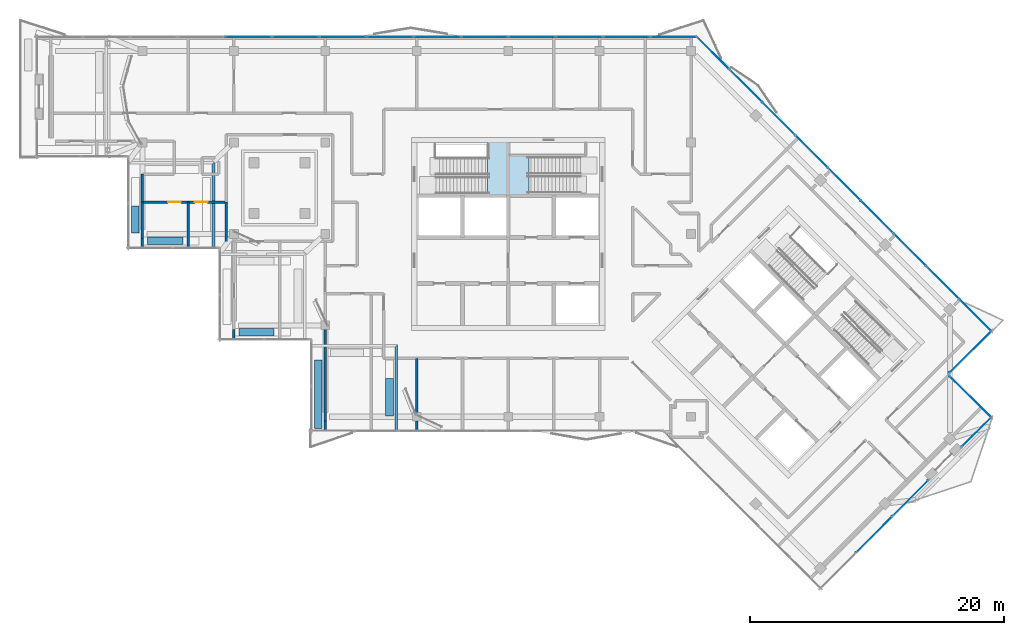
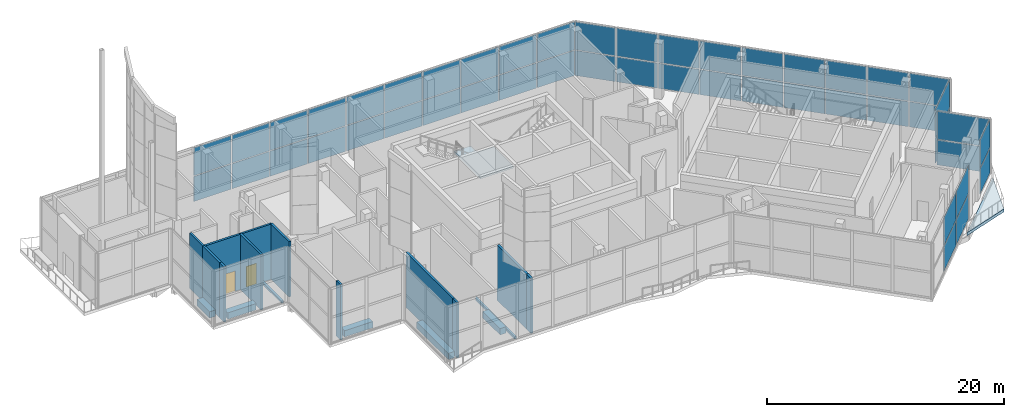
# One storey, part 11 of 19: 48 plates, 18 walls, 3 slabs, 2 doors, 2 openings, 8 elements without a shape of their own.
"""IFC4 building model written with IfcOpenShell, lengths in metres."""

from ifc_helpers import new_model, si_unit, direction, frame, frame_2d, origin, origin_2d, place, context, subcontext, project, spatial, polyline, rectangle, outline, extrude, material, layer, layer_set, type_object, element, fill, aggregate, save


model = new_model("IFC4")

# Units and contexts
model_context = context("Model", 3, precision=1e-05, world=origin(), true_north=direction((0.0, 1.0)))
body_context = subcontext(model_context, "Body", "Model", "MODEL_VIEW")
ifc_project = project(units=[si_unit("LENGTHUNIT", "METRE"), si_unit("AREAUNIT", "SQUARE_METRE"), si_unit("VOLUMEUNIT", "CUBIC_METRE"), si_unit("PLANEANGLEUNIT", "RADIAN"), si_unit("MASSUNIT", "GRAM", prefix="KILO")], contexts=[model_context])

# Site, building, storey
site_placement = place(None, origin())
site = spatial("IfcSite", under=ifc_project, at=site_placement, CompositionType="ELEMENT")
building_placement = place(site_placement, origin())
building = spatial("IfcBuilding", under=site, at=building_placement, Name="Windrow Commons", CompositionType="ELEMENT")
storey_placement = place(building_placement, frame((0.0, 0.0, 284.6)))
storey = spatial("IfcBuildingStorey", under=building, at=storey_placement, Name="L78", CompositionType="ELEMENT", Elevation=284.6)

# Curtain wall, plates
ifc_material_1 = material(Name="Clear laminated glass in Aluminium 6063-T6 anodised frame", Category="aluminium")
curtain_wall_type = type_object("IfcCurtainWallType", Name="Curtain wall CW3 damper floor", PredefinedType="USERDEFINED", material=ifc_material_1)
placement_1 = place(storey_placement, origin())
curtain_wall_1 = element("IfcCurtainWall", 1, at=placement_1, inside=storey, type_object=curtain_wall_type, Name="Curtain wall CW3 L78 1.1", ObjectType="STRUCTURAL SILICONE", PredefinedType="USERDEFINED")
ifc_material_2 = material(Name="Clear laminated glass", Category="glass")
ifc_layer_1 = layer(ifc_material_2, 0.036)
ifc_layer_set_1 = layer_set([ifc_layer_1], Name="CW3 panel glass 36")
plate_type = type_object("IfcPlateType", Name="CW3 panel glass 36", PredefinedType="CURTAIN_PANEL", material=ifc_layer_set_1)
plate_1_placement = place(storey_placement, frame((93.6129, 33.9456, 0.08), z_axis=(0.0, 0.0, 1.0), x_axis=(0.7071093854, 0.707104177, 0.0)))
plate_1 = element("IfcPlate", 2, at=plate_1_placement, type_object=plate_type, Name="CW3 panel 2.1", PredefinedType="CURTAIN_PANEL", context=body_context, shape_type="SweptSolid", body=[
    extrude(rectangle(XDim=3.9753, YDim=0.036, at=origin_2d()), origin(), (0.0, 0.0, 1.0), 2.58),
])
plate_2_placement = place(storey_placement, frame((93.6129, 33.9456, 2.74), z_axis=(0.0, 0.0, 1.0), x_axis=(0.7071093854, 0.707104177, 0.0)))
plate_2 = element("IfcPlate", 3, at=plate_2_placement, type_object=plate_type, Name="CW3 panel 2.2", PredefinedType="CURTAIN_PANEL", context=body_context, shape_type="SweptSolid", body=[
    extrude(rectangle(XDim=3.9753, YDim=0.036, at=origin_2d()), origin(), (0.0, 0.0, 1.0), 2.88),
])
plate_3_placement = place(storey_placement, frame((96.4664, 36.799, 0.08), z_axis=(0.0, 0.0, 1.0), x_axis=(0.7071093854, 0.707104177, 0.0)))
plate_3 = element("IfcPlate", 4, at=plate_3_placement, type_object=plate_type, Name="CW3 panel 3.1", PredefinedType="CURTAIN_PANEL", context=body_context, shape_type="SweptSolid", body=[
    extrude(rectangle(XDim=3.9353, YDim=0.036, at=origin_2d()), origin(), (0.0, 0.0, 1.0), 2.58),
])
plate_4_placement = place(storey_placement, frame((96.4664, 36.799, 2.74), z_axis=(0.0, 0.0, 1.0), x_axis=(0.7071093854, 0.707104177, 0.0)))
plate_4 = element("IfcPlate", 5, at=plate_4_placement, type_object=plate_type, Name="CW3 panel 3.2", PredefinedType="CURTAIN_PANEL", context=body_context, shape_type="SweptSolid", body=[
    extrude(rectangle(XDim=3.9353, YDim=0.036, at=origin_2d()), origin(), (0.0, 0.0, 1.0), 2.88),
])
aggregate(curtain_wall_1, [plate_1, plate_2, plate_3, plate_4])

curtain_wall_2 = element("IfcCurtainWall", 6, at=placement_1, inside=storey, type_object=curtain_wall_type, Name="Curtain wall CW3 L78 1.2", ObjectType="STRUCTURAL SILICONE", PredefinedType="USERDEFINED")
plate_5_placement = place(storey_placement, frame((101.674, 42.0066, 0.08), z_axis=(0.0, 0.0, 1.0), x_axis=(0.7071093851, 0.7071041772, 0.0)))
plate_5 = element("IfcPlate", 7, at=plate_5_placement, type_object=plate_type, Name="CW3 panel 1.1", PredefinedType="CURTAIN_PANEL", context=body_context, shape_type="SweptSolid", body=[
    extrude(rectangle(XDim=3.274, YDim=0.036, at=origin_2d()), origin(), (0.0, 0.0, 1.0), 2.58),
])
plate_6_placement = place(storey_placement, frame((101.674, 42.0066, 2.74), z_axis=(0.0, 0.0, 1.0), x_axis=(0.7071093851, 0.7071041772, 0.0)))
plate_6 = element("IfcPlate", 8, at=plate_6_placement, type_object=plate_type, Name="CW3 panel 1.2", PredefinedType="CURTAIN_PANEL", context=body_context, shape_type="SweptSolid", body=[
    extrude(rectangle(XDim=3.274, YDim=0.036, at=origin_2d()), origin(), (0.0, 0.0, 1.0), 2.88),
])
aggregate(curtain_wall_2, [plate_5, plate_6])

curtain_wall_3 = element("IfcCurtainWall", 9, at=placement_1, inside=storey, type_object=curtain_wall_type, Name="Curtain wall CW3 L78 2", ObjectType="STRUCTURAL SILICONE", PredefinedType="USERDEFINED")
plate_7_placement = place(storey_placement, frame((101.191, 44.7764, 0.08), z_axis=(0.0, 0.0, 1.0), x_axis=(-0.7070963646, 0.7071171977, 0.0)))
plate_7 = element("IfcPlate", 10, at=plate_7_placement, type_object=plate_type, Name="CW3 panel 1.1", PredefinedType="CURTAIN_PANEL", context=body_context, shape_type="SweptSolid", body=[
    extrude(rectangle(XDim=4.6401, YDim=0.036, at=origin_2d()), origin(), (0.0, 0.0, 1.0), 2.58),
])
plate_8_placement = place(storey_placement, frame((101.191, 44.7764, 2.74), z_axis=(0.0, 0.0, 1.0), x_axis=(-0.7070963646, 0.7071171977, 0.0)))
plate_8 = element("IfcPlate", 11, at=plate_8_placement, type_object=plate_type, Name="CW3 panel 1.2", PredefinedType="CURTAIN_PANEL", context=body_context, shape_type="SweptSolid", body=[
    extrude(rectangle(XDim=4.6401, YDim=0.036, at=origin_2d()), origin(), (0.0, 0.0, 1.0), 2.88),
])
aggregate(curtain_wall_3, [plate_7, plate_8])

curtain_wall_4 = element("IfcCurtainWall", 12, at=placement_1, inside=storey, type_object=curtain_wall_type, Name="Curtain wall CW3 L78 3", ObjectType="STRUCTURAL SILICONE", PredefinedType="USERDEFINED")
plate_9_placement = place(storey_placement, frame((101.191, 48.312, 0.08), z_axis=(0.0, 0.0, 1.0), x_axis=(0.7071067812, 0.7071067812, 0.0)))
plate_9 = element("IfcPlate", 13, at=plate_9_placement, type_object=plate_type, Name="CW3 panel 1.1", PredefinedType="CURTAIN_PANEL", context=body_context, shape_type="SweptSolid", body=[
    extrude(rectangle(XDim=4.64, YDim=0.036, at=origin_2d()), origin(), (0.0, 0.0, 1.0), 2.58),
])
plate_10_placement = place(storey_placement, frame((101.191, 48.312, 2.74), z_axis=(0.0, 0.0, 1.0), x_axis=(0.7071067812, 0.7071067812, 0.0)))
plate_10 = element("IfcPlate", 14, at=plate_10_placement, type_object=plate_type, Name="CW3 panel 1.2", PredefinedType="CURTAIN_PANEL", context=body_context, shape_type="SweptSolid", body=[
    extrude(rectangle(XDim=4.64, YDim=0.036, at=origin_2d()), origin(), (0.0, 0.0, 1.0), 2.88),
])
aggregate(curtain_wall_4, [plate_9, plate_10])

curtain_wall_5 = element("IfcCurtainWall", 15, at=placement_1, inside=storey, type_object=curtain_wall_type, Name="Curtain wall CW3 L78 4", ObjectType="STRUCTURAL SILICONE", PredefinedType="USERDEFINED")
plate_11_placement = place(storey_placement, frame((101.5816, 51.174, 0.08), z_axis=(0.0, 0.0, 1.0), x_axis=(-0.7071067812, 0.7071067812, 0.0)))
plate_11 = element("IfcPlate", 16, at=plate_11_placement, type_object=plate_type, Name="CW3 panel 1.1", PredefinedType="CURTAIN_PANEL", context=body_context, shape_type="SweptSolid", body=[
    extrude(rectangle(XDim=3.5352, YDim=0.036, at=origin_2d()), origin(), (0.0, 0.0, 1.0), 2.58),
])
plate_12_placement = place(storey_placement, frame((101.5816, 51.174, 2.74), z_axis=(0.0, 0.0, 1.0), x_axis=(-0.7071067812, 0.7071067812, 0.0)))
plate_12 = element("IfcPlate", 17, at=plate_12_placement, type_object=plate_type, Name="CW3 panel 1.2", PredefinedType="CURTAIN_PANEL", context=body_context, shape_type="SweptSolid", body=[
    extrude(rectangle(XDim=3.5352, YDim=0.036, at=origin_2d()), origin(), (0.0, 0.0, 1.0), 2.88),
])
plate_13_placement = place(storey_placement, frame((99.0111, 53.7445, 0.08), z_axis=(0.0, 0.0, 1.0), x_axis=(-0.7071067812, 0.7071067812, 0.0)))
plate_13 = element("IfcPlate", 18, at=plate_13_placement, type_object=plate_type, Name="CW3 panel 2.1", PredefinedType="CURTAIN_PANEL", context=body_context, shape_type="SweptSolid", body=[
    extrude(rectangle(XDim=3.5752, YDim=0.036, at=origin_2d()), origin(), (0.0, 0.0, 1.0), 2.58),
])
plate_14_placement = place(storey_placement, frame((99.0111, 53.7445, 2.74), z_axis=(0.0, 0.0, 1.0), x_axis=(-0.7071067812, 0.7071067812, 0.0)))
plate_14 = element("IfcPlate", 19, at=plate_14_placement, type_object=plate_type, Name="CW3 panel 2.2", PredefinedType="CURTAIN_PANEL", context=body_context, shape_type="SweptSolid", body=[
    extrude(rectangle(XDim=3.5752, YDim=0.036, at=origin_2d()), origin(), (0.0, 0.0, 1.0), 2.88),
])
plate_15_placement = place(storey_placement, frame((96.4265, 56.3292, 0.08), z_axis=(0.0, 0.0, 1.0), x_axis=(-0.7071067812, 0.7071067812, 0.0)))
plate_15 = element("IfcPlate", 20, at=plate_15_placement, type_object=plate_type, Name="CW3 panel 3.1", PredefinedType="CURTAIN_PANEL", context=body_context, shape_type="SweptSolid", body=[
    extrude(rectangle(XDim=3.5752, YDim=0.036, at=origin_2d()), origin(), (0.0, 0.0, 1.0), 2.58),
])
plate_16_placement = place(storey_placement, frame((96.4265, 56.3292, 2.74), z_axis=(0.0, 0.0, 1.0), x_axis=(-0.7071067812, 0.7071067812, 0.0)))
plate_16 = element("IfcPlate", 21, at=plate_16_placement, type_object=plate_type, Name="CW3 panel 3.2", PredefinedType="CURTAIN_PANEL", context=body_context, shape_type="SweptSolid", body=[
    extrude(rectangle(XDim=3.5752, YDim=0.036, at=origin_2d()), origin(), (0.0, 0.0, 1.0), 2.88),
])
plate_17_placement = place(storey_placement, frame((93.8419, 58.9138, 0.08), z_axis=(0.0, 0.0, 1.0), x_axis=(-0.7071067812, 0.7071067812, 0.0)))
plate_17 = element("IfcPlate", 22, at=plate_17_placement, type_object=plate_type, Name="CW3 panel 4.1", PredefinedType="CURTAIN_PANEL", context=body_context, shape_type="SweptSolid", body=[
    extrude(rectangle(XDim=3.5752, YDim=0.036, at=origin_2d()), origin(), (0.0, 0.0, 1.0), 2.58),
])
plate_18_placement = place(storey_placement, frame((93.8419, 58.9138, 2.74), z_axis=(0.0, 0.0, 1.0), x_axis=(-0.7071067812, 0.7071067812, 0.0)))
plate_18 = element("IfcPlate", 23, at=plate_18_placement, type_object=plate_type, Name="CW3 panel 4.2", PredefinedType="CURTAIN_PANEL", context=body_context, shape_type="SweptSolid", body=[
    extrude(rectangle(XDim=3.5752, YDim=0.036, at=origin_2d()), origin(), (0.0, 0.0, 1.0), 2.88),
])
plate_19_placement = place(storey_placement, frame((91.2572, 61.4984, 0.08), z_axis=(0.0, 0.0, 1.0), x_axis=(-0.7071067812, 0.7071067812, 0.0)))
plate_19 = element("IfcPlate", 24, at=plate_19_placement, type_object=plate_type, Name="CW3 panel 5.1", PredefinedType="CURTAIN_PANEL", context=body_context, shape_type="SweptSolid", body=[
    extrude(rectangle(XDim=3.5752, YDim=0.036, at=origin_2d()), origin(), (0.0, 0.0, 1.0), 2.58),
])
plate_20_placement = place(storey_placement, frame((91.2572, 61.4984, 2.74), z_axis=(0.0, 0.0, 1.0), x_axis=(-0.7071067812, 0.7071067812, 0.0)))
plate_20 = element("IfcPlate", 25, at=plate_20_placement, type_object=plate_type, Name="CW3 panel 5.2", PredefinedType="CURTAIN_PANEL", context=body_context, shape_type="SweptSolid", body=[
    extrude(rectangle(XDim=3.5752, YDim=0.036, at=origin_2d()), origin(), (0.0, 0.0, 1.0), 2.88),
])
plate_21_placement = place(storey_placement, frame((88.6726, 64.0831, 0.08), z_axis=(0.0, 0.0, 1.0), x_axis=(-0.7071067812, 0.7071067812, 0.0)))
plate_21 = element("IfcPlate", 26, at=plate_21_placement, type_object=plate_type, Name="CW3 panel 6.1", PredefinedType="CURTAIN_PANEL", context=body_context, shape_type="SweptSolid", body=[
    extrude(rectangle(XDim=3.5752, YDim=0.036, at=origin_2d()), origin(), (0.0, 0.0, 1.0), 2.58),
])
plate_22_placement = place(storey_placement, frame((88.6726, 64.0831, 2.74), z_axis=(0.0, 0.0, 1.0), x_axis=(-0.7071067812, 0.7071067812, 0.0)))
plate_22 = element("IfcPlate", 27, at=plate_22_placement, type_object=plate_type, Name="CW3 panel 6.2", PredefinedType="CURTAIN_PANEL", context=body_context, shape_type="SweptSolid", body=[
    extrude(rectangle(XDim=3.5752, YDim=0.036, at=origin_2d()), origin(), (0.0, 0.0, 1.0), 2.88),
])
plate_23_placement = place(storey_placement, frame((86.088, 66.6677, 0.08), z_axis=(0.0, 0.0, 1.0), x_axis=(-0.7071067812, 0.7071067812, 0.0)))
plate_23 = element("IfcPlate", 28, at=plate_23_placement, type_object=plate_type, Name="CW3 panel 7.1", PredefinedType="CURTAIN_PANEL", context=body_context, shape_type="SweptSolid", body=[
    extrude(rectangle(XDim=3.5752, YDim=0.036, at=origin_2d()), origin(), (0.0, 0.0, 1.0), 2.58),
])
plate_24_placement = place(storey_placement, frame((86.088, 66.6677, 2.74), z_axis=(0.0, 0.0, 1.0), x_axis=(-0.7071067812, 0.7071067812, 0.0)))
plate_24 = element("IfcPlate", 29, at=plate_24_placement, type_object=plate_type, Name="CW3 panel 7.2", PredefinedType="CURTAIN_PANEL", context=body_context, shape_type="SweptSolid", body=[
    extrude(rectangle(XDim=3.5752, YDim=0.036, at=origin_2d()), origin(), (0.0, 0.0, 1.0), 2.88),
])
plate_25_placement = place(storey_placement, frame((83.5033, 69.2523, 0.08), z_axis=(0.0, 0.0, 1.0), x_axis=(-0.7071067812, 0.7071067812, 0.0)))
plate_25 = element("IfcPlate", 30, at=plate_25_placement, type_object=plate_type, Name="CW3 panel 8.1", PredefinedType="CURTAIN_PANEL", context=body_context, shape_type="SweptSolid", body=[
    extrude(rectangle(XDim=3.5752, YDim=0.036, at=origin_2d()), origin(), (0.0, 0.0, 1.0), 2.58),
])
plate_26_placement = place(storey_placement, frame((83.5033, 69.2523, 2.74), z_axis=(0.0, 0.0, 1.0), x_axis=(-0.7071067812, 0.7071067812, 0.0)))
plate_26 = element("IfcPlate", 31, at=plate_26_placement, type_object=plate_type, Name="CW3 panel 8.2", PredefinedType="CURTAIN_PANEL", context=body_context, shape_type="SweptSolid", body=[
    extrude(rectangle(XDim=3.5752, YDim=0.036, at=origin_2d()), origin(), (0.0, 0.0, 1.0), 2.88),
])
plate_27_placement = place(storey_placement, frame((80.9328, 71.8228, 0.08), z_axis=(0.0, 0.0, 1.0), x_axis=(-0.7071067812, 0.7071067812, 0.0)))
plate_27 = element("IfcPlate", 32, at=plate_27_placement, type_object=plate_type, Name="CW3 panel 9.1", PredefinedType="CURTAIN_PANEL", context=body_context, shape_type="SweptSolid", body=[
    extrude(rectangle(XDim=3.5352, YDim=0.036, at=origin_2d()), origin(), (0.0, 0.0, 1.0), 2.58),
])
plate_28_placement = place(storey_placement, frame((80.9328, 71.8228, 2.74), z_axis=(0.0, 0.0, 1.0), x_axis=(-0.7071067812, 0.7071067812, 0.0)))
plate_28 = element("IfcPlate", 33, at=plate_28_placement, type_object=plate_type, Name="CW3 panel 9.2", PredefinedType="CURTAIN_PANEL", context=body_context, shape_type="SweptSolid", body=[
    extrude(rectangle(XDim=3.5352, YDim=0.036, at=origin_2d()), origin(), (0.0, 0.0, 1.0), 2.88),
])
aggregate(curtain_wall_5, [plate_11, plate_12, plate_13, plate_14, plate_15, plate_16, plate_17, plate_18, plate_19, plate_20, plate_21, plate_22, plate_23, plate_24, plate_25, plate_26, plate_27, plate_28])

curtain_wall_6 = element("IfcCurtainWall", 34, at=placement_1, inside=storey, type_object=curtain_wall_type, Name="Curtain wall CW3 L78 5", ObjectType="STRUCTURAL SILICONE", PredefinedType="USERDEFINED")
plate_29_placement = place(storey_placement, frame((77.8165, 73.1, 0.08), z_axis=(0.0, 0.0, 1.0), x_axis=(-1.0, 0.0, 0.0)))
plate_29 = element("IfcPlate", 35, at=plate_29_placement, type_object=plate_type, Name="CW3 panel 1.1", PredefinedType="CURTAIN_PANEL", context=body_context, shape_type="SweptSolid", body=[
    extrude(rectangle(XDim=3.6012, YDim=0.036, at=origin_2d()), origin(), (0.0, 0.0, 1.0), 2.58),
])
plate_30_placement = place(storey_placement, frame((77.8165, 73.1, 2.74), z_axis=(0.0, 0.0, 1.0), x_axis=(-1.0, 0.0, 0.0)))
plate_30 = element("IfcPlate", 36, at=plate_30_placement, type_object=plate_type, Name="CW3 panel 1.2", PredefinedType="CURTAIN_PANEL", context=body_context, shape_type="SweptSolid", body=[
    extrude(rectangle(XDim=3.6012, YDim=0.036, at=origin_2d()), origin(), (0.0, 0.0, 1.0), 2.88),
])
plate_31_placement = place(storey_placement, frame((74.1153, 73.1, 0.08), z_axis=(0.0, 0.0, 1.0), x_axis=(-1.0, 0.0, 0.0)))
plate_31 = element("IfcPlate", 37, at=plate_31_placement, type_object=plate_type, Name="CW3 panel 2.1", PredefinedType="CURTAIN_PANEL", context=body_context, shape_type="SweptSolid", body=[
    extrude(rectangle(XDim=3.6412, YDim=0.036, at=origin_2d()), origin(), (0.0, 0.0, 1.0), 2.58),
])
plate_32_placement = place(storey_placement, frame((74.1153, 73.1, 2.74), z_axis=(0.0, 0.0, 1.0), x_axis=(-1.0, 0.0, 0.0)))
plate_32 = element("IfcPlate", 38, at=plate_32_placement, type_object=plate_type, Name="CW3 panel 2.2", PredefinedType="CURTAIN_PANEL", context=body_context, shape_type="SweptSolid", body=[
    extrude(rectangle(XDim=3.6412, YDim=0.036, at=origin_2d()), origin(), (0.0, 0.0, 1.0), 2.88),
])
plate_33_placement = place(storey_placement, frame((70.394, 73.1, 0.08), z_axis=(0.0, 0.0, 1.0), x_axis=(-1.0, 0.0, 0.0)))
plate_33 = element("IfcPlate", 39, at=plate_33_placement, type_object=plate_type, Name="CW3 panel 3.1", PredefinedType="CURTAIN_PANEL", context=body_context, shape_type="SweptSolid", body=[
    extrude(rectangle(XDim=3.6412, YDim=0.036, at=origin_2d()), origin(), (0.0, 0.0, 1.0), 2.58),
])
plate_34_placement = place(storey_placement, frame((70.394, 73.1, 2.74), z_axis=(0.0, 0.0, 1.0), x_axis=(-1.0, 0.0, 0.0)))
plate_34 = element("IfcPlate", 40, at=plate_34_placement, type_object=plate_type, Name="CW3 panel 3.2", PredefinedType="CURTAIN_PANEL", context=body_context, shape_type="SweptSolid", body=[
    extrude(rectangle(XDim=3.6412, YDim=0.036, at=origin_2d()), origin(), (0.0, 0.0, 1.0), 2.88),
])
plate_35_placement = place(storey_placement, frame((66.6728, 73.1, 0.08), z_axis=(0.0, 0.0, 1.0), x_axis=(-1.0, 0.0, 0.0)))
plate_35 = element("IfcPlate", 41, at=plate_35_placement, type_object=plate_type, Name="CW3 panel 4.1", PredefinedType="CURTAIN_PANEL", context=body_context, shape_type="SweptSolid", body=[
    extrude(rectangle(XDim=3.6412, YDim=0.036, at=origin_2d()), origin(), (0.0, 0.0, 1.0), 2.58),
])
plate_36_placement = place(storey_placement, frame((66.6728, 73.1, 2.74), z_axis=(0.0, 0.0, 1.0), x_axis=(-1.0, 0.0, 0.0)))
plate_36 = element("IfcPlate", 42, at=plate_36_placement, type_object=plate_type, Name="CW3 panel 4.2", PredefinedType="CURTAIN_PANEL", context=body_context, shape_type="SweptSolid", body=[
    extrude(rectangle(XDim=3.6412, YDim=0.036, at=origin_2d()), origin(), (0.0, 0.0, 1.0), 2.88),
])
plate_37_placement = place(storey_placement, frame((62.9516, 73.1, 0.08), z_axis=(0.0, 0.0, 1.0), x_axis=(-1.0, 0.0, 0.0)))
plate_37 = element("IfcPlate", 43, at=plate_37_placement, type_object=plate_type, Name="CW3 panel 5.1", PredefinedType="CURTAIN_PANEL", context=body_context, shape_type="SweptSolid", body=[
    extrude(rectangle(XDim=3.6412, YDim=0.036, at=origin_2d()), origin(), (0.0, 0.0, 1.0), 2.58),
])
plate_38_placement = place(storey_placement, frame((62.9516, 73.1, 2.74), z_axis=(0.0, 0.0, 1.0), x_axis=(-1.0, 0.0, 0.0)))
plate_38 = element("IfcPlate", 44, at=plate_38_placement, type_object=plate_type, Name="CW3 panel 5.2", PredefinedType="CURTAIN_PANEL", context=body_context, shape_type="SweptSolid", body=[
    extrude(rectangle(XDim=3.6412, YDim=0.036, at=origin_2d()), origin(), (0.0, 0.0, 1.0), 2.88),
])
plate_39_placement = place(storey_placement, frame((59.2304, 73.1, 0.08), z_axis=(0.0, 0.0, 1.0), x_axis=(-1.0, 0.0, 0.0)))
plate_39 = element("IfcPlate", 45, at=plate_39_placement, type_object=plate_type, Name="CW3 panel 6.1", PredefinedType="CURTAIN_PANEL", context=body_context, shape_type="SweptSolid", body=[
    extrude(rectangle(XDim=3.6412, YDim=0.036, at=origin_2d()), origin(), (0.0, 0.0, 1.0), 2.58),
])
plate_40_placement = place(storey_placement, frame((59.2304, 73.1, 2.74), z_axis=(0.0, 0.0, 1.0), x_axis=(-1.0, 0.0, 0.0)))
plate_40 = element("IfcPlate", 46, at=plate_40_placement, type_object=plate_type, Name="CW3 panel 6.2", PredefinedType="CURTAIN_PANEL", context=body_context, shape_type="SweptSolid", body=[
    extrude(rectangle(XDim=3.6412, YDim=0.036, at=origin_2d()), origin(), (0.0, 0.0, 1.0), 2.88),
])
plate_41_placement = place(storey_placement, frame((55.5092, 73.1, 0.08), z_axis=(0.0, 0.0, 1.0), x_axis=(-1.0, 0.0, 0.0)))
plate_41 = element("IfcPlate", 47, at=plate_41_placement, type_object=plate_type, Name="CW3 panel 7.1", PredefinedType="CURTAIN_PANEL", context=body_context, shape_type="SweptSolid", body=[
    extrude(rectangle(XDim=3.6412, YDim=0.036, at=origin_2d()), origin(), (0.0, 0.0, 1.0), 2.58),
])
plate_42_placement = place(storey_placement, frame((55.5092, 73.1, 2.74), z_axis=(0.0, 0.0, 1.0), x_axis=(-1.0, 0.0, 0.0)))
plate_42 = element("IfcPlate", 48, at=plate_42_placement, type_object=plate_type, Name="CW3 panel 7.2", PredefinedType="CURTAIN_PANEL", context=body_context, shape_type="SweptSolid", body=[
    extrude(rectangle(XDim=3.6412, YDim=0.036, at=origin_2d()), origin(), (0.0, 0.0, 1.0), 2.88),
])
plate_43_placement = place(storey_placement, frame((51.7879, 73.1, 0.08), z_axis=(0.0, 0.0, 1.0), x_axis=(-1.0, 0.0, 0.0)))
plate_43 = element("IfcPlate", 49, at=plate_43_placement, type_object=plate_type, Name="CW3 panel 8.1", PredefinedType="CURTAIN_PANEL", context=body_context, shape_type="SweptSolid", body=[
    extrude(rectangle(XDim=3.6412, YDim=0.036, at=origin_2d()), origin(), (0.0, 0.0, 1.0), 2.58),
])
plate_44_placement = place(storey_placement, frame((51.7879, 73.1, 2.74), z_axis=(0.0, 0.0, 1.0), x_axis=(-1.0, 0.0, 0.0)))
plate_44 = element("IfcPlate", 50, at=plate_44_placement, type_object=plate_type, Name="CW3 panel 8.2", PredefinedType="CURTAIN_PANEL", context=body_context, shape_type="SweptSolid", body=[
    extrude(rectangle(XDim=3.6412, YDim=0.036, at=origin_2d()), origin(), (0.0, 0.0, 1.0), 2.88),
])
plate_45_placement = place(storey_placement, frame((48.0667, 73.1, 0.08), z_axis=(0.0, 0.0, 1.0), x_axis=(-1.0, 0.0, 0.0)))
plate_45 = element("IfcPlate", 51, at=plate_45_placement, type_object=plate_type, Name="CW3 panel 9.1", PredefinedType="CURTAIN_PANEL", context=body_context, shape_type="SweptSolid", body=[
    extrude(rectangle(XDim=3.6412, YDim=0.036, at=origin_2d()), origin(), (0.0, 0.0, 1.0), 2.58),
])
plate_46_placement = place(storey_placement, frame((48.0667, 73.1, 2.74), z_axis=(0.0, 0.0, 1.0), x_axis=(-1.0, 0.0, 0.0)))
plate_46 = element("IfcPlate", 52, at=plate_46_placement, type_object=plate_type, Name="CW3 panel 9.2", PredefinedType="CURTAIN_PANEL", context=body_context, shape_type="SweptSolid", body=[
    extrude(rectangle(XDim=3.6412, YDim=0.036, at=origin_2d()), origin(), (0.0, 0.0, 1.0), 2.88),
])
plate_47_placement = place(storey_placement, frame((44.3455, 73.1, 0.08), z_axis=(0.0, 0.0, 1.0), x_axis=(-1.0, 0.0, 0.0)))
plate_47 = element("IfcPlate", 53, at=plate_47_placement, type_object=plate_type, Name="CW3 panel 10.1", PredefinedType="CURTAIN_PANEL", context=body_context, shape_type="SweptSolid", body=[
    extrude(rectangle(XDim=3.6412, YDim=0.036, at=origin_2d()), origin(), (0.0, 0.0, 1.0), 2.58),
])
plate_48_placement = place(storey_placement, frame((44.3455, 73.1, 2.74), z_axis=(0.0, 0.0, 1.0), x_axis=(-1.0, 0.0, 0.0)))
plate_48 = element("IfcPlate", 54, at=plate_48_placement, type_object=plate_type, Name="CW3 panel 10.2", PredefinedType="CURTAIN_PANEL", context=body_context, shape_type="SweptSolid", body=[
    extrude(rectangle(XDim=3.6412, YDim=0.036, at=origin_2d()), origin(), (0.0, 0.0, 1.0), 2.88),
])
aggregate(curtain_wall_6, [plate_29, plate_30, plate_31, plate_32, plate_33, plate_34, plate_35, plate_36, plate_37, plate_38, plate_39, plate_40, plate_41, plate_42, plate_43, plate_44, plate_45, plate_46, plate_47, plate_48])

# Stair, slab
ifc_material_3 = material(Name="Concrete C40/50", Category="concrete")
stair_type = type_object("IfcStairType", Name="Core stair", PredefinedType="HALF_TURN_STAIR", material=ifc_material_3)
stair_1 = element("IfcStair", 55, at=placement_1, inside=storey, type_object=stair_type, Name="L78 Exit stair A1 core A", PredefinedType="HALF_TURN_STAIR")
ifc_material_4 = material(Name="Concrete C40/50", Category="concrete")
ifc_layer_2 = layer(ifc_material_4, 0.2)
ifc_layer_set_2 = layer_set([ifc_layer_2], Name="Core stair landing")
slab_type_1 = type_object("IfcSlabType", Name="Core stair landing", PredefinedType="LANDING", material=ifc_layer_set_2)
placement_2 = place(storey_placement, frame((0.0, 0.0, 2.8)))
slab_1 = element("IfcSlab", 56, at=placement_2, type_object=slab_type_1, Name="ST-A1 landing 1", PredefinedType="LANDING", context=body_context, shape_type="SweptSolid", body=[
    extrude(outline(polyline([(63.18, 60.5), (64.8, 60.5), (64.8, 64.9), (63.18, 64.9), (63.18, 60.5)])), origin(), (0.0, 0.0, 1.0), 0.2),
])
aggregate(stair_1, [slab_1])

stair_2 = element("IfcStair", 57, at=placement_1, inside=storey, type_object=stair_type, Name="L78 Exit stair A2 core A", PredefinedType="HALF_TURN_STAIR")
slab_2 = element("IfcSlab", 58, at=placement_2, type_object=slab_type_1, Name="ST-A2 landing 1", PredefinedType="LANDING", context=body_context, shape_type="SweptSolid", body=[
    extrude(outline(polyline([(64.8, 60.5), (66.42, 60.5), (66.42, 63.855), (64.8, 63.855), (64.8, 60.5)])), origin(), (0.0, 0.0, 1.0), 0.2),
])
aggregate(stair_2, [slab_2])

# Slab
ifc_material_5 = material(Name="Concrete C40/50", Category="concrete")
ifc_layer_3 = layer(ifc_material_5, 0.3)
ifc_layer_set_3 = layer_set([ifc_layer_3], Name="TERRACE SLAB 300 C40/50")
slab_type_2 = type_object("IfcSlabType", Name="TERRACE SLAB 300 C40/50", PredefinedType="FLOOR", material=ifc_layer_set_3)
slab_3_placement = place(storey_placement, frame((0.0, 0.0, -0.3)))
element("IfcSlab", 59, at=slab_3_placement, inside=storey, type_object=slab_type_2, Name="Terrace slab TR-L78-5", PredefinedType="FLOOR", context=body_context, shape_type="SweptSolid", body=[
    extrude(outline(polyline([(98.444, 37.1196), (99.4798, 37.4649), (99.909, 37.608), (99.9089, 37.6083), (101.2614, 38.0592), (101.8811, 39.9183), (102.5905, 42.0464), (102.5909, 42.0463), (102.7464, 42.5128), (96.8084, 36.5748), (98.4438, 37.12), (98.444, 37.1196)])), origin(), (0.0, 0.0, 1.0), 0.3),
])

# Wall, openings, doors
ifc_material_6 = material(Name="Blockwork partition", Category="masonry")
ifc_layer_4 = layer(ifc_material_6, 0.2)
ifc_layer_set_4 = layer_set([ifc_layer_4], Name="IW-CORRIDOR-200")
wall_type_1 = type_object("IfcWallType", Name="IW-CORRIDOR-200", PredefinedType="PARTITIONING", material=ifc_layer_set_4)
wall_1_placement = place(storey_placement, frame((36.0, 60.1, 0.0), z_axis=(0.0, 0.0, 1.0), x_axis=(1.0, 0.0, 0.0)))
wall_1 = element("IfcWall", 60, at=wall_1_placement, inside=storey, type_object=wall_type_1, Name="W-L78-W016", PredefinedType="PARTITIONING", context=body_context, shape_type="SweptSolid", body=[
    extrude(rectangle(XDim=6.6, YDim=0.2, at=frame_2d((3.3, 0.0))), origin(), (0.0, 0.0, 1.0), 5.7),
])
opening_1_placement = place(wall_1_placement, frame((2.0325, 0.0, 0.0)))
opening_1 = element("IfcOpeningElement", 61, at=opening_1_placement, cuts=wall_1, Name="Opening D410F", PredefinedType="OPENING", context=body_context, shape_type="SweptSolid", body=[
    extrude(rectangle(XDim=1.0, YDim=2.1, at=frame_2d((0.5, 1.05))), frame((0.0, 0.11, 0.0), z_axis=(0.0, -1.0, 0.0), x_axis=(1.0, 0.0, 0.0)), (0.0, 0.0, 1.0), 0.22),
])
opening_2_placement = place(wall_1_placement, frame((4.132, 0.0, 0.0)))
opening_2 = element("IfcOpeningElement", 62, at=opening_2_placement, cuts=wall_1, Name="Opening D410F", PredefinedType="OPENING", context=body_context, shape_type="SweptSolid", body=[
    extrude(rectangle(XDim=1.0, YDim=2.1, at=frame_2d((0.5, 1.05))), frame((0.0, 0.11, 0.0), z_axis=(0.0, -1.0, 0.0), x_axis=(1.0, 0.0, 0.0)), (0.0, 0.0, 1.0), 0.22),
])
ifc_material_7 = material(Name="Timber door leaf", Category="wood")
door_type = type_object("IfcDoorType", Name="DT-SERVICE-1000", OperationType="SINGLE_SWING_LEFT", PredefinedType="DOOR", material=ifc_material_7)
door_1_placement = place(opening_1_placement, origin())
door_1 = element("IfcDoor", 63, at=door_1_placement, inside=storey, type_object=door_type, Name="D-L78-D005", OperationType="SINGLE_SWING_LEFT", OverallHeight=2.1, OverallWidth=1.0, PredefinedType="DOOR", context=body_context, shape_type="SweptSolid", body=[
    extrude(rectangle(XDim=1.0, YDim=2.1, at=frame_2d((0.5, 1.05))), frame((0.0, 0.025, 0.0), z_axis=(0.0, -1.0, 0.0), x_axis=(1.0, 0.0, 0.0)), (0.0, 0.0, 1.0), 0.05),
])
fill(opening_1, door_1)
door_2_placement = place(opening_2_placement, origin())
door_2 = element("IfcDoor", 64, at=door_2_placement, inside=storey, type_object=door_type, Name="D-L78-D011", OperationType="SINGLE_SWING_RIGHT", OverallHeight=2.1, OverallWidth=1.0, PredefinedType="DOOR", context=body_context, shape_type="SweptSolid", body=[
    extrude(rectangle(XDim=1.0, YDim=2.1, at=frame_2d((0.5, 1.05))), frame((0.0, 0.025, 0.0), z_axis=(0.0, -1.0, 0.0), x_axis=(1.0, 0.0, 0.0)), (0.0, 0.0, 1.0), 0.05),
])
fill(opening_2, door_2)

# Walls
wall_2_placement = place(storey_placement, frame((36.0, 60.1, 0.0), z_axis=(0.0, 0.0, 1.0), x_axis=(0.0, 1.0, 0.0)))
element("IfcWall", 65, at=wall_2_placement, inside=storey, type_object=wall_type_1, Name="W-L78-W065", PredefinedType="PARTITIONING", context=body_context, shape_type="SweptSolid", body=[
    extrude(rectangle(XDim=2.2, YDim=0.2, at=frame_2d((1.1, 0.0))), origin(), (0.0, 0.0, 1.0), 5.7),
])
ifc_material_8 = material(Name="Blockwork partition", Category="masonry")
ifc_layer_5 = layer(ifc_material_8, 0.2)
ifc_layer_set_5 = layer_set([ifc_layer_5], Name="IW-PARTY-200")
wall_type_2 = type_object("IfcWallType", Name="IW-PARTY-200", PredefinedType="PARTITIONING", material=ifc_layer_set_5)
wall_3_placement = place(storey_placement, frame((50.4, 42.85, 0.0), z_axis=(0.0, 0.0, 1.0), x_axis=(0.0, 1.0, 0.0)))
element("IfcWall", 66, at=wall_3_placement, inside=storey, type_object=wall_type_2, Name="W-L78-W018", PredefinedType="PARTITIONING", context=body_context, shape_type="SweptSolid", body=[
    extrude(rectangle(XDim=7.9, YDim=0.2, at=frame_2d((3.95, 0.0))), origin(), (0.0, 0.0, 1.0), 5.7),
])
wall_4_placement = place(storey_placement, frame((57.6, 42.85, 0.0), z_axis=(0.0, 0.0, 1.0), x_axis=(0.0, 1.0, 0.0)))
element("IfcWall", 67, at=wall_4_placement, inside=storey, type_object=wall_type_2, Name="W-L78-W042", PredefinedType="PARTITIONING", context=body_context, shape_type="SweptSolid", body=[
    extrude(rectangle(XDim=4.95, YDim=0.2, at=frame_2d((2.475, 0.0))), origin(), (0.0, 0.0, 1.0), 5.7),
])
wall_5_placement = place(storey_placement, frame((39.6, 56.53, 0.0), z_axis=(0.0, 0.0, 1.0), x_axis=(0.0, 1.0, 0.0)))
element("IfcWall", 68, at=wall_5_placement, inside=storey, type_object=wall_type_2, Name="W-L78-W049", PredefinedType="PARTITIONING", context=body_context, shape_type="SweptSolid", body=[
    extrude(rectangle(XDim=3.57, YDim=0.2, at=frame_2d((1.785, 0.0))), origin(), (0.0, 0.0, 1.0), 5.7),
])
wall_6_placement = place(storey_placement, frame((42.6, 57.0, 0.0), z_axis=(0.0, 0.0, 1.0), x_axis=(0.0, 1.0, 0.0)))
element("IfcWall", 69, at=wall_6_placement, inside=storey, type_object=wall_type_2, Name="W-L78-W050", PredefinedType="PARTITIONING", context=body_context, shape_type="SweptSolid", body=[
    extrude(rectangle(XDim=3.1, YDim=0.2, at=frame_2d((1.55, 0.0))), origin(), (0.0, 0.0, 1.0), 5.7),
])
wall_7_placement = place(storey_placement, frame((36.0, 57.25, 0.0), z_axis=(0.0, 0.0, 1.0), x_axis=(0.0, 1.0, 0.0)))
element("IfcWall", 70, at=wall_7_placement, inside=storey, type_object=wall_type_2, Name="W-L78-W072", PredefinedType="PARTITIONING", context=body_context, shape_type="SweptSolid", body=[
    extrude(rectangle(XDim=2.85, YDim=0.2, at=frame_2d((1.425, 0.0))), origin(), (0.0, 0.0, 1.0), 5.7),
])
for number, where, z_axis, x_axis, name in (
    (71, (36.0, 56.53, 0.0), (0.0, 0.0, 1.0), (0.0, 1.0, 0.0), "W-L78-W095"),
    (72, (43.2, 49.33, 0.0), (0.0, 0.0, 1.0), (0.0, 1.0, 0.0), "W-L78-W096"),
    (73, (50.4, 42.13, 0.0), (0.0, 0.0, 1.0), (0.0, 1.0, 0.0), "W-L78-W097"),
    (74, (57.6, 42.13, 0.0), (0.0, 0.0, 1.0), (0.0, 1.0, 0.0), "W-L78-W098"),
):
    element("IfcWall", number, at=place(storey_placement, frame(where, z_axis=z_axis, x_axis=x_axis)), inside=storey, type_object=wall_type_2, Name=name, PredefinedType="PARTITIONING", context=body_context, shape_type="SweptSolid", body=[
        extrude(rectangle(XDim=0.72, YDim=0.2, at=frame_2d((0.36, 0.0))), origin(), (0.0, 0.0, 1.0), 5.7),
    ])
ifc_material_9 = material(Name="Concrete C30/37 planter wall", Category="concrete")
ifc_layer_6 = layer(ifc_material_9, 0.6)
ifc_layer_set_6 = layer_set([ifc_layer_6], Name="Planter 600x450")
wall_type_3 = type_object("IfcWallType", Name="Planter 600x450", PredefinedType="SOLIDWALL", material=ifc_layer_set_6)
wall_8_placement = place(storey_placement, frame((35.45, 59.8, 0.0), z_axis=(0.0, 0.0, 1.0), x_axis=(0.0, -1.0, 0.0)))
element("IfcWall", 75, at=wall_8_placement, inside=storey, type_object=wall_type_3, Name="PLANTER TR-L78-2.3", PredefinedType="SOLIDWALL", context=body_context, shape_type="SweptSolid", body=[
    extrude(rectangle(XDim=2.15, YDim=0.6, at=frame_2d((1.075, 0.0))), origin(), (0.0, 0.0, 1.0), 0.65),
])
for number, where, z_axis, x_axis, name in (
    (76, (36.42, 57.05, 0.0), (0.0, 0.0, 1.0), (1.0, 0.0, 0.0), "PLANTER TR-L78-2.4"),
    (77, (43.62, 49.85, 0.0), (0.0, 0.0, 1.0), (1.0, 0.0, 0.0), "PLANTER TR-L78-3.4"),
):
    element("IfcWall", number, at=place(storey_placement, frame(where, z_axis=z_axis, x_axis=x_axis)), inside=storey, type_object=wall_type_3, Name=name, PredefinedType="SOLIDWALL", context=body_context, shape_type="SweptSolid", body=[
        extrude(rectangle(XDim=2.76, YDim=0.6, at=frame_2d((1.38, 0.0))), origin(), (0.0, 0.0, 1.0), 0.65),
    ])
wall_9_placement = place(storey_placement, frame((55.45, 43.25, 0.0), z_axis=(0.0, 0.0, 1.0), x_axis=(0.0, 1.0, 0.0)))
element("IfcWall", 78, at=wall_9_placement, inside=storey, type_object=wall_type_3, Name="PLANTER TR-L78-4.1", PredefinedType="SOLIDWALL", context=body_context, shape_type="SweptSolid", body=[
    extrude(rectangle(XDim=2.95, YDim=0.6, at=frame_2d((1.475, 0.0))), origin(), (0.0, 0.0, 1.0), 0.65),
])
wall_10_placement = place(storey_placement, frame((49.85, 47.65, 0.0), z_axis=(0.0, 0.0, 1.0), x_axis=(0.0, -1.0, 0.0)))
element("IfcWall", 79, at=wall_10_placement, inside=storey, type_object=wall_type_3, Name="PLANTER TR-L78-4.3", PredefinedType="SOLIDWALL", context=body_context, shape_type="SweptSolid", body=[
    extrude(rectangle(XDim=5.3752, YDim=0.6, at=frame_2d((2.6876, 0.0))), origin(), (0.0, 0.0, 1.0), 0.65),
])
ifc_material_10 = material(Name="Brick masonry, red clay brick", Category="masonry")
ifc_layer_7 = layer(ifc_material_10, 0.2)
ifc_layer_set_7 = layer_set([ifc_layer_7], Name="Terrace edge parapet 200")
wall_type_4 = type_object("IfcWallType", Name="Terrace edge parapet 200", PredefinedType="PARAPET", material=ifc_layer_set_7)
for number, where, z_axis, x_axis, name in (
    (80, (41.6, 56.5, 0.0), (0.0, 0.0, 1.0), (0.0, 1.0, 0.0), "Terrace parapet TR-L78-2.1.1"),
    (81, (56.0, 42.1, 0.0), (0.0, 0.0, 1.0), (0.0, 1.0, 0.0), "Terrace parapet TR-L78-4.1.1"),
):
    element("IfcWall", number, at=place(storey_placement, frame(where, z_axis=z_axis, x_axis=x_axis)), inside=storey, type_object=wall_type_4, Name=name, PredefinedType="PARAPET", context=body_context, shape_type="SweptSolid", body=[
        extrude(outline(polyline([(0.0, -0.1), (6.8, -0.1), (6.6, 0.1), (0.0, 0.1), (0.0, -0.1)])), origin(), (0.0, 0.0, 1.0), 0.25),
    ])

save(model, "model.ifc")
